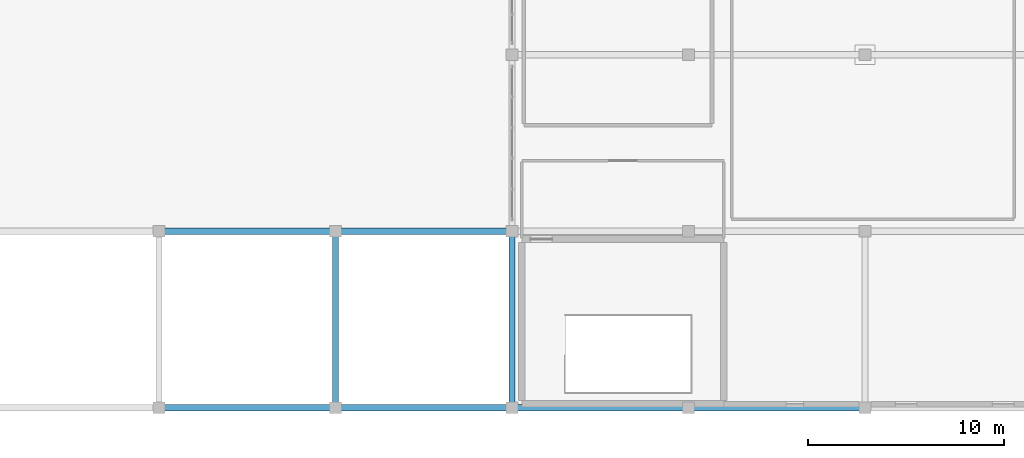
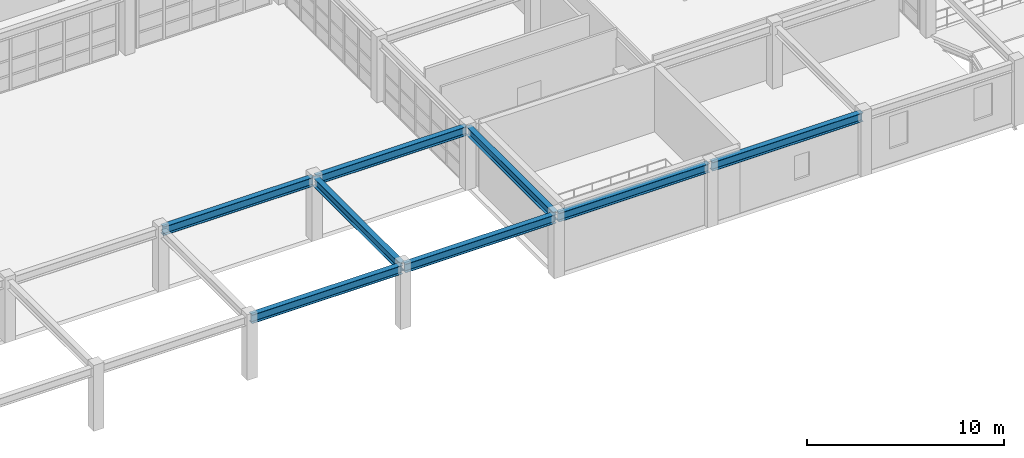
# One storey, part 16 of 110: 8 beams.
"""IFC4 building model written with IfcOpenShell, lengths in metres."""

from ifc_helpers import new_model, si_unit, direction, frame, origin, origin_2d, place, context, subcontext, project, spatial, i_section, extrude, material, material_profile, profile_set, type_object, element, save


model = new_model("IFC4")

# Units and contexts
model_context = context("Model", 3, precision=1e-05, world=origin(), true_north=direction((0.0, 1.0)))
body_context = subcontext(model_context, "Body", "Model", "MODEL_VIEW")
ifc_project = project(units=[si_unit("LENGTHUNIT", "METRE"), si_unit("AREAUNIT", "SQUARE_METRE"), si_unit("VOLUMEUNIT", "CUBIC_METRE"), si_unit("PLANEANGLEUNIT", "RADIAN"), si_unit("MASSUNIT", "GRAM", prefix="KILO")], contexts=[model_context])

# Site, building, storey
site_placement = place(None, origin())
site = spatial("IfcSite", under=ifc_project, at=site_placement, CompositionType="ELEMENT")
building_placement = place(site_placement, origin())
building = spatial("IfcBuilding", under=site, at=building_placement, Name="Miravela Opera House", CompositionType="ELEMENT")
storey_placement = place(building_placement, frame((0.0, 0.0, 13.60009765625)))
storey = spatial("IfcBuildingStorey", under=building, at=storey_placement, Name="L03", CompositionType="ELEMENT", Elevation=13.60009765625)

# Beams
ifc_material = material(Name="Structural steel ASTM A992 Gr. 50", Category="steel")
ifc_material_profile = material_profile(ifc_material, i_section(OverallWidth=0.31201171875, OverallDepth=0.54296875, WebThickness=0.0126953125, FlangeThickness=0.020263671875, FilletRadius=0.01611328125, at=origin_2d()), Name="W530X150")
ifc_profile_set = profile_set([ifc_material_profile])
beam_type = type_object("IfcBeamType", Name="STR-BM-W530X150", PredefinedType="BEAM", material=ifc_profile_set)
for number, where, z_axis, x_axis, name in (
    (1, (45.080078125, 0.0, 3.568359375), (1.0, 0.0, 0.0), (0.0, 1.0, 0.0), "Roof Eave Girder ROOF-V4-WEST-S S4"),
    (2, (54.080078125, 0.0, 3.568359375), (1.0, 0.0, 0.0), (0.0, 1.0, 0.0), "Roof Eave Girder ROOF-V4-WEST-S S5"),
    (3, (63.080078125, 0.0, 3.568359375), (1.0, 0.0, 0.0), (0.0, 1.0, 0.0), "Roof Eave Girder ROOF-V4-WEST-S S6"),
    (4, (72.080078125, 0.0, 3.568359375), (1.0, 0.0, 0.0), (0.0, 1.0, 0.0), "Roof Eave Girder ROOF-V4-WEST-S S7"),
    (5, (45.080078125, 9.0, 3.568359375), (1.0, 0.0, 0.0), (0.0, 1.0, 0.0), "Roof Eave Girder ROOF-V4-WEST-S N4"),
    (6, (54.080078125, 9.0, 3.568359375), (1.0, 0.0, 0.0), (0.0, 1.0, 0.0), "Roof Eave Girder ROOF-V4-WEST-S N5"),
    (7, (54.0, 0.080078125, 3.568359375), (0.0, 1.0, 0.0), (-1.0, 0.0, 0.0), "Roof King-Post Transverse Tie Girder ROOF-V4-WEST-S T4.1"),
    (8, (63.0, 0.080078125, 3.568359375), (0.0, 1.0, 0.0), (-1.0, 0.0, 0.0), "Roof King-Post Transverse Tie Girder ROOF-V4-WEST-S T5.1"),
):
    element("IfcBeam", number, at=place(storey_placement, frame(where, z_axis=z_axis, x_axis=x_axis)), inside=storey, type_object=beam_type, Name=name, PredefinedType="BEAM", context=body_context, shape_type="SweptSolid", body=[
        extrude(i_section(OverallWidth=0.31201171875, OverallDepth=0.54296875, WebThickness=0.0126953125, FlangeThickness=0.020263671875, FilletRadius=0.01611328125, at=origin_2d()), origin(), (0.0, 0.0, 1.0), 8.83984375),
    ])

save(model, "model.ifc")
